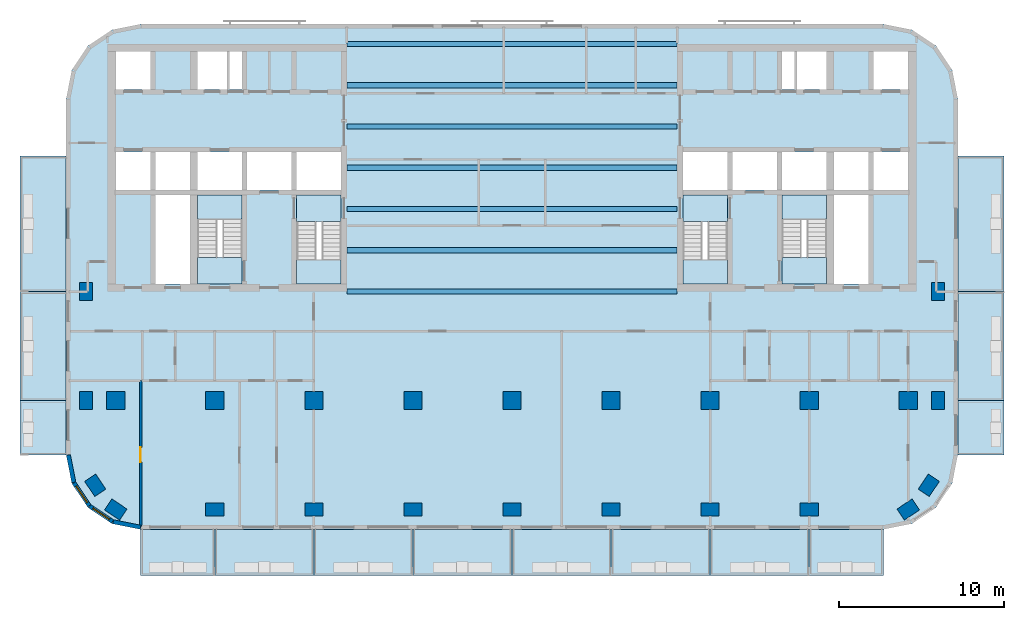
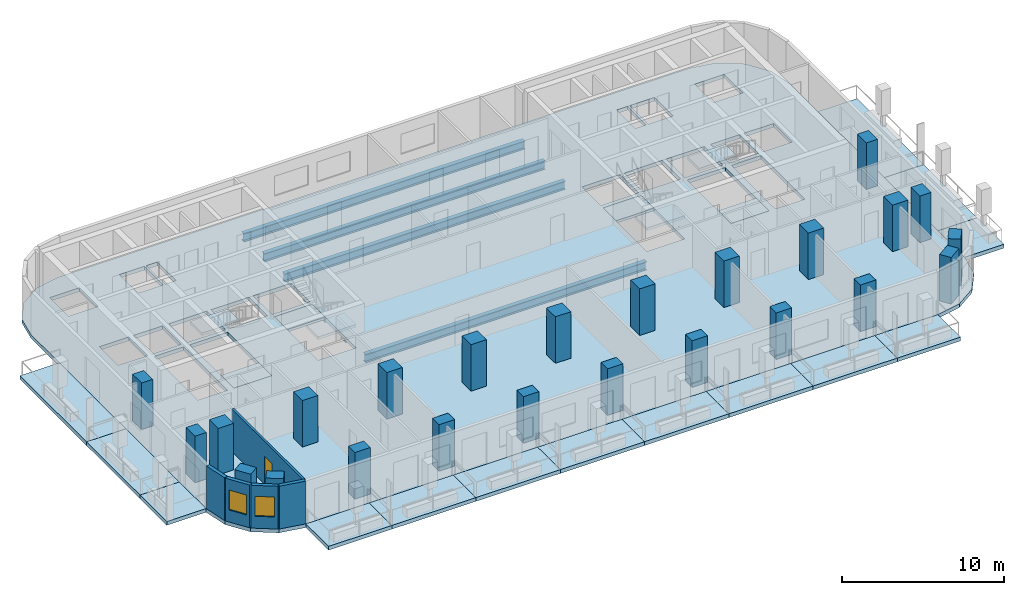
# One storey, part 1 of 11: 24 columns, 23 slabs, 7 beams, 5 walls, 2 windows, 1 door, 3 openings, 4 elements without a shape of their own.
"""IFC4 building model written with IfcOpenShell, lengths in metres."""

import ifcopenshell
import ifcopenshell.guid

model = None  # the IFC model being written
_history = None  # IfcOwnerHistory: only IFC2X3 demands one
_inside = {}  # id of a spatial element -> (the spatial element, [elements in it])
_under = {}  # id of a project, library or spatial element -> (it, [spatial elements below it])
_declared = {}  # id of a project -> (the project, [libraries it declares])
_typed = {}  # id of a type object -> (the type object, [elements of that type])
_made_of = {}  # id of a material, layer set ... -> (it, [elements and type objects made of it])


def new_model(schema):
    """Start an empty IFC model of exactly this schema.

    Asked for "IFC4X3", IfcOpenShell would pick the latest addendum, in which some entities
    have other attributes; the version numbers below select the first issue.
    IFC2X3 requires an IfcOwnerHistory on every rooted entity: one is made here for all.
    """
    global model, _history
    if schema == "IFC4X3":
        model = ifcopenshell.file(schema_version=(4, 3, 0, 0))
    else:
        model = ifcopenshell.file(schema=schema)
    _inside.clear()
    _under.clear()
    _declared.clear()
    _typed.clear()
    _made_of.clear()
    _history = None
    if model.schema == "IFC2X3":
        org = make("IfcOrganization", Name="unknown")
        user = make(
            "IfcPersonAndOrganization",
            ThePerson=make("IfcPerson", FamilyName="unknown"),
            TheOrganization=org,
        )
        app = make(
            "IfcApplication",
            ApplicationDeveloper=org,
            Version="unknown",
            ApplicationFullName="unknown",
            ApplicationIdentifier="unknown",
        )
        _history = make(
            "IfcOwnerHistory",
            OwningUser=user,
            OwningApplication=app,
            ChangeAction="ADDED",
            CreationDate=0,
        )
    return model


def make(cls, **values):
    """One entity of the class cls with the attributes given. An attribute that is None is left unset."""
    return model.create_entity(
        cls, **{name: value for name, value in values.items() if value is not None}
    )


def rooted(cls, **values):
    """An entity with a GlobalId (a new one), such as an element, a storey or a relation."""
    return make(cls, GlobalId=ifcopenshell.guid.new(), OwnerHistory=_history, **values)


def si_unit(unit_type, name, prefix=None):
    """IfcSIUnit, for example si_unit("LENGTHUNIT", "METRE", prefix="MILLI")."""
    return make("IfcSIUnit", UnitType=unit_type, Prefix=prefix, Name=name)


def assignment(units):
    """IfcUnitAssignment: the units of a project."""
    return None if units is None else make("IfcUnitAssignment", Units=units)


def point(xyz):
    """IfcCartesianPoint."""
    return None if xyz is None else make("IfcCartesianPoint", Coordinates=xyz)


def direction(xyz):
    """IfcDirection."""
    return None if xyz is None else make("IfcDirection", DirectionRatios=xyz)


def frame(location, z_axis=None, x_axis=None):
    """IfcAxis2Placement3D, a coordinate frame: its origin and axes. An axis left out is left unset."""
    return make(
        "IfcAxis2Placement3D",
        Location=point(location),
        Axis=direction(z_axis),
        RefDirection=direction(x_axis),
    )


def frame_2d(location, x_axis=None):
    """IfcAxis2Placement2D, a coordinate frame in the plane: its origin and x axis."""
    return make(
        "IfcAxis2Placement2D", Location=point(location), RefDirection=direction(x_axis)
    )


def origin():
    """The frame at (0, 0, 0) with its axes left unset."""
    return frame((0.0, 0.0, 0.0))


def origin_2d():
    """The frame at (0, 0) in the plane with its x axis left unset."""
    return frame_2d((0.0, 0.0))


def place(relative_to, where):
    """IfcLocalPlacement: puts the frame where relative to a parent placement (None: the world)."""
    return make(
        "IfcLocalPlacement", PlacementRelTo=relative_to, RelativePlacement=where
    )


def context(
    kind, dimensions, precision=None, world=None, true_north=None, identifier=None
):
    """IfcGeometricRepresentationContext, for example the 3D "Model" context."""
    return make(
        "IfcGeometricRepresentationContext",
        ContextIdentifier=identifier,
        ContextType=kind,
        CoordinateSpaceDimension=dimensions,
        Precision=precision,
        WorldCoordinateSystem=world,
        TrueNorth=true_north,
    )


def subcontext(parent, identifier, kind, view, scale=None):
    """IfcGeometricRepresentationSubContext, for example "Body" below "Model"."""
    return make(
        "IfcGeometricRepresentationSubContext",
        ContextIdentifier=identifier,
        ContextType=kind,
        ParentContext=parent,
        TargetScale=scale,
        TargetView=view,
    )


def project(units=None, contexts=None):
    """IfcProject with its units and contexts."""
    return rooted(
        "IfcProject",
        Name="project",
        RepresentationContexts=contexts,
        UnitsInContext=assignment(units),
    )


def spatial(cls, under=None, at=None, **own):
    """A site, building, storey or space (cls), placed at a placement, below another one or the project."""
    s = rooted(cls, ObjectPlacement=at, **own)
    if under is not None:
        _under.setdefault(under.id(), (under, []))[1].append(s)
    return s


def polyline(points):
    """IfcPolyline through the points."""
    return make("IfcPolyline", Points=[point(p) for p in points])


def profile(cls, at=None, kind="AREA", **sizes):
    """A parametric profile (cls). Its sizes go by their IFC names, for example OverallWidth=200.0."""
    return make(cls, ProfileType=kind, Position=at, **sizes)


def rectangle(**sizes):
    """IfcRectangleProfileDef."""
    return profile("IfcRectangleProfileDef", **sizes)


def i_section(**sizes):
    """IfcIShapeProfileDef."""
    return profile("IfcIShapeProfileDef", **sizes)


def outline(outer, holes=None, kind="AREA"):
    """IfcArbitraryClosedProfileDef: a profile drawn as a closed curve; with holes, ...WithVoids."""
    if holes is None:
        return make("IfcArbitraryClosedProfileDef", ProfileType=kind, OuterCurve=outer)
    return make(
        "IfcArbitraryProfileDefWithVoids",
        ProfileType=kind,
        OuterCurve=outer,
        InnerCurves=holes,
    )


def extrude(swept, where, along, depth):
    """IfcExtrudedAreaSolid: the profile swept, set in the frame where, extruded along a direction by depth."""
    return make(
        "IfcExtrudedAreaSolid",
        SweptArea=swept,
        Position=where,
        ExtrudedDirection=direction(along),
        Depth=depth,
    )


def shape(context_of_items, identifier, shape_type, items):
    """IfcShapeRepresentation: the items that make up one representation, for example the "Body"."""
    return make(
        "IfcShapeRepresentation",
        ContextOfItems=context_of_items,
        RepresentationIdentifier=identifier,
        RepresentationType=shape_type,
        Items=items,
    )


def material(Name=None, Category=None):
    """IfcMaterial."""
    return make("IfcMaterial", Name=Name, Category=Category)


def layer(
    of_material, thickness, ventilated=None, Name=None, Category=None, Priority=None
):
    """IfcMaterialLayer: one layer of a wall or slab, of a material (None: an air gap)."""
    return make(
        "IfcMaterialLayer",
        Material=of_material,
        LayerThickness=thickness,
        IsVentilated=ventilated,
        Name=Name,
        Category=Category,
        Priority=Priority,
    )


def layer_set(layers, Name=None):
    """IfcMaterialLayerSet."""
    return make("IfcMaterialLayerSet", MaterialLayers=layers, LayerSetName=Name)


def material_profile(
    of_material, cross_section, Name=None, Category=None, Priority=None
):
    """IfcMaterialProfile: a cross section and its material."""
    return make(
        "IfcMaterialProfile",
        Name=Name,
        Material=of_material,
        Profile=cross_section,
        Priority=Priority,
        Category=Category,
    )


def profile_set(profiles, Name=None, composite=None):
    """IfcMaterialProfileSet."""
    return make(
        "IfcMaterialProfileSet",
        Name=Name,
        MaterialProfiles=profiles,
        CompositeProfile=composite,
    )


def made_of(thing, what):
    """Note that an element or type object is made of a material, layer set ...; save() writes the relation."""
    if what is not None:
        _made_of.setdefault(what.id(), (what, []))[1].append(thing)
    return thing


def type_object(cls, material=None, **own):
    """A type object (cls), such as IfcWallType, which elements share."""
    return made_of(rooted(cls, **own), material)


def element(
    cls,
    number,
    at=None,
    inside=None,
    cuts=None,
    type_object=None,
    material=None,
    context=None,
    identifier="Body",
    shape_type=None,
    held_by="IfcProductDefinitionShape",
    body=None,
    shapes=None,
    **own,
):
    """One element of the class cls, such as IfcWall. Its Tag is "e" and its number.

    at: its placement. inside: the storey or other place that contains it. cuts: it is an
    opening in that element (IfcRelVoidsElement). A single representation is given by context,
    identifier, shape_type and body (its items); several are given by shapes. held_by: the class
    of the entity that holds the representations. save() writes the other relations.
    """
    e = rooted(cls, Tag="e%d" % number, ObjectPlacement=at, **own)
    if body is not None:
        shapes = [shape(context, identifier, shape_type, body)]
    if shapes is not None:
        e.Representation = make(held_by, Representations=shapes)
    if inside is not None:
        _inside.setdefault(inside.id(), (inside, []))[1].append(e)
    if cuts is not None:
        rooted(
            "IfcRelVoidsElement", RelatingBuildingElement=cuts, RelatedOpeningElement=e
        )
    if type_object is not None:
        _typed.setdefault(type_object.id(), (type_object, []))[1].append(e)
    return made_of(e, material)


def fill(opening, filler):
    """IfcRelFillsElement: the door or window that sits in an opening."""
    return rooted(
        "IfcRelFillsElement",
        RelatingOpeningElement=opening,
        RelatedBuildingElement=filler,
    )


def aggregate(whole, parts):
    """IfcRelAggregates: a whole, such as a stair, and the parts it consists of."""
    return rooted("IfcRelAggregates", RelatingObject=whole, RelatedObjects=parts)


def save(model, path):
    """Write the relations noted so far, then the file.

    IfcRelAggregates (storeys below a building ...), IfcRelContainedInSpatialStructure (elements
    in a storey), IfcRelDefinesByType, IfcRelAssociatesMaterial and IfcRelDeclares: one each for
    every whole, place, type object, material and project.
    """
    for whole, parts in _under.values():
        aggregate(whole, parts)
    for where, things in _inside.values():
        rooted(
            "IfcRelContainedInSpatialStructure",
            RelatedElements=things,
            RelatingStructure=where,
        )
    for kind, things in _typed.values():
        rooted("IfcRelDefinesByType", RelatedObjects=things, RelatingType=kind)
    for what, things in _made_of.values():
        rooted("IfcRelAssociatesMaterial", RelatedObjects=things, RelatingMaterial=what)
    for by, libraries in _declared.values():
        rooted("IfcRelDeclares", RelatingContext=by, RelatedDefinitions=libraries)
    model.write(path)


model = new_model("IFC4")

# Units and contexts
model_context = context("Model", 3, precision=1e-05, world=origin(), true_north=direction((0.0, 1.0)))
body_context = subcontext(model_context, "Body", "Model", "MODEL_VIEW")
ifc_project = project(units=[si_unit("LENGTHUNIT", "METRE"), si_unit("AREAUNIT", "SQUARE_METRE"), si_unit("VOLUMEUNIT", "CUBIC_METRE"), si_unit("PLANEANGLEUNIT", "RADIAN"), si_unit("MASSUNIT", "GRAM", prefix="KILO")], contexts=[model_context])

# Site, building, storey
site_placement = place(None, origin())
site = spatial("IfcSite", under=ifc_project, at=site_placement, CompositionType="ELEMENT")
building_placement = place(site_placement, origin())
building = spatial("IfcBuilding", under=site, at=building_placement, Name="Torana Hotel and Residences", CompositionType="ELEMENT")
storey_placement = place(building_placement, frame((0.0, 0.0, 208.10009765625)))
storey = spatial("IfcBuildingStorey", under=building, at=storey_placement, Name="L54", CompositionType="ELEMENT", Elevation=208.10009765625)

# Columns
ifc_material_1 = material(Name="Concrete C60/75", Category="concrete")
ifc_material_profile_1 = material_profile(ifc_material_1, rectangle(XDim=1.10009765625, YDim=1.10009765625, at=origin_2d()), Name="RC 1100x1100")
ifc_profile_set_1 = profile_set([ifc_material_profile_1], Name="Concrete C60/75")
column_type_1 = type_object("IfcColumnType", Name="COLUMN RC 1100x1100 C60/75", PredefinedType="COLUMN", material=ifc_profile_set_1)
for number, where, z_axis, x_axis, name in (
    (1, (-24.0, -21.60009765625, 0.0), (0.0, 0.0, 1.0), (1.0, 0.0, 0.0), "Column L54"),
    (2, (-18.0, -21.60009765625, 0.0), (0.0, 0.0, 1.0), (1.0, 0.0, 0.0), "Column L54"),
    (3, (-12.0, -21.60009765625, 0.0), (0.0, 0.0, 1.0), (1.0, 0.0, 0.0), "Column L54"),
    (4, (-6.0, -21.60009765625, 0.0), (0.0, 0.0, 1.0), (1.0, 0.0, 0.0), "Column L54"),
    (5, (0.0, -21.60009765625, 0.0), (0.0, 0.0, 1.0), (1.0, 0.0, 0.0), "Column L54"),
    (6, (6.0, -21.60009765625, 0.0), (0.0, 0.0, 1.0), (1.0, 0.0, 0.0), "Column L54"),
    (7, (12.0, -21.60009765625, 0.0), (0.0, 0.0, 1.0), (1.0, 0.0, 0.0), "Column L54"),
    (8, (18.0, -21.60009765625, 0.0), (0.0, 0.0, 1.0), (1.0, 0.0, 0.0), "Column L54"),
    (9, (24.0, -21.60009765625, 0.0), (0.0, 0.0, 1.0), (1.0, 0.0, 0.0), "Column L54"),
):
    element("IfcColumn", number, at=place(storey_placement, frame(where, z_axis=z_axis, x_axis=x_axis)), inside=storey, type_object=column_type_1, Name=name, PredefinedType="COLUMN", context=body_context, shape_type="SweptSolid", body=[
        extrude(rectangle(XDim=1.10009765625, YDim=1.10009765625, at=origin_2d()), origin(), (0.0, 0.0, 1.0), 3.5),
    ])
ifc_material_2 = material(Name="Concrete C60/75", Category="concrete")
ifc_material_profile_2 = material_profile(ifc_material_2, rectangle(XDim=1.10009765625, YDim=0.800048828125, at=origin_2d()), Name="RC 1100x800")
ifc_profile_set_2 = profile_set([ifc_material_profile_2], Name="Concrete C60/75")
column_type_2 = type_object("IfcColumnType", Name="COLUMN RC 1100x800 C60/75", PredefinedType="COLUMN", material=ifc_profile_set_2)
for number, where, z_axis, x_axis, name in (
    (10, (-25.800048828125, -21.60009765625, 0.0), (0.0, 0.0, 1.0), (0.0, 1.0, 0.0), "Column L54"),
    (11, (-25.800048828125, -15.0, 0.0), (0.0, 0.0, 1.0), (0.0, 1.0, 0.0), "Column L54"),
    (12, (-25.243896484375, -26.73291015625, 0.0), (0.0, 0.0, 1.0), (-0.555584744817, 0.831459915646, 0.0), "Column L54"),
    (13, (-24.0, -28.199951171875, 0.0), (0.0, 0.0, 1.0), (-0.831459915646, 0.555584744817, 0.0), "Column L54"),
    (14, (-18.0, -28.199951171875, 0.0), (0.0, 0.0, 1.0), (1.0, 0.0, 0.0), "Column L54"),
    (15, (-12.0, -28.199951171875, 0.0), (0.0, 0.0, 1.0), (1.0, 0.0, 0.0), "Column L54"),
    (16, (-6.0, -28.199951171875, 0.0), (0.0, 0.0, 1.0), (1.0, 0.0, 0.0), "Column L54"),
    (17, (0.0, -28.199951171875, 0.0), (0.0, 0.0, 1.0), (1.0, 0.0, 0.0), "Column L54"),
    (18, (6.0, -28.199951171875, 0.0), (0.0, 0.0, 1.0), (1.0, 0.0, 0.0), "Column L54"),
    (19, (12.0, -28.199951171875, 0.0), (0.0, 0.0, 1.0), (1.0, 0.0, 0.0), "Column L54"),
    (20, (18.0, -28.199951171875, 0.0), (0.0, 0.0, 1.0), (1.0, 0.0, 0.0), "Column L54"),
    (21, (24.0, -28.199951171875, 0.0), (0.0, 0.0, 1.0), (0.831459915646, 0.555584744817, 0.0), "Column L54"),
    (22, (25.243896484375, -26.73291015625, 0.0), (0.0, 0.0, 1.0), (0.555584744817, 0.831459915646, 0.0), "Column L54"),
    (23, (25.800048828125, -21.60009765625, 0.0), (0.0, 0.0, 1.0), (0.0, 1.0, 0.0), "Column L54"),
    (24, (25.800048828125, -15.0, 0.0), (0.0, 0.0, 1.0), (0.0, 1.0, 0.0), "Column L54"),
):
    element("IfcColumn", number, at=place(storey_placement, frame(where, z_axis=z_axis, x_axis=x_axis)), inside=storey, type_object=column_type_2, Name=name, PredefinedType="COLUMN", context=body_context, shape_type="SweptSolid", body=[
        extrude(rectangle(XDim=1.10009765625, YDim=0.800048828125, at=origin_2d()), origin(), (0.0, 0.0, 1.0), 3.5),
    ])

# Beams
ifc_material_3 = material(Name="Steel S355", Category="steel")
ifc_material_profile_3 = material_profile(ifc_material_3, i_section(OverallWidth=0.311279296875, OverallDepth=0.6357421875, WebThickness=0.018310546875, FlangeThickness=0.031494140625, FilletRadius=0.0166015625, at=origin_2d()), Name="610x305x238 UB")
ifc_profile_set_3 = profile_set([ifc_material_profile_3], Name="Steel S355")
beam_type = type_object("IfcBeamType", Name="STEEL GIRDER 610x305x238 UB", PredefinedType="BEAM", material=ifc_profile_set_3)
for number, where, z_axis, x_axis, name in (
    (25, (-10.0, -15.0, -0.597900390625), (1.0, 0.0, 0.0), (0.0, 1.0, 0.0), "Floor girder"),
    (26, (-10.0, -12.5, -0.597900390625), (1.0, 0.0, 0.0), (0.0, 1.0, 0.0), "Floor girder"),
    (27, (-10.0, -10.0, -0.597900390625), (1.0, 0.0, 0.0), (0.0, 1.0, 0.0), "Floor girder"),
    (28, (-10.0, -7.5, -0.597900390625), (1.0, 0.0, 0.0), (0.0, 1.0, 0.0), "Floor girder"),
    (29, (-10.0, -5.0, -0.597900390625), (1.0, 0.0, 0.0), (0.0, 1.0, 0.0), "Floor girder"),
    (30, (-10.0, -2.5, -0.597900390625), (1.0, 0.0, 0.0), (0.0, 1.0, 0.0), "Floor girder"),
    (31, (-10.0, 0.0, -0.597900390625), (1.0, 0.0, 0.0), (0.0, 1.0, 0.0), "Floor girder"),
):
    element("IfcBeam", number, at=place(storey_placement, frame(where, z_axis=z_axis, x_axis=x_axis)), inside=storey, type_object=beam_type, Name=name, PredefinedType="BEAM", context=body_context, shape_type="SweptSolid", body=[
        extrude(i_section(OverallWidth=0.311279296875, OverallDepth=0.6357421875, WebThickness=0.018310546875, FlangeThickness=0.031494140625, FilletRadius=0.0166015625, at=origin_2d()), origin(), (0.0, 0.0, 1.0), 20.0),
    ])

# Slabs
ifc_material_4 = material(Name="Concrete C40/50", Category="concrete")
ifc_layer_1 = layer(ifc_material_4, 0.280029296875)
ifc_layer_set_1 = layer_set([ifc_layer_1], Name="BAL1 BALCONY SLAB 280")
slab_type_1 = type_object("IfcSlabType", Name="BAL1 BALCONY SLAB 280", PredefinedType="USERDEFINED", material=ifc_layer_set_1)
slab_1_placement = place(storey_placement, frame((0.0, 0.0, -0.280029296875)))
element("IfcSlab", 32, at=slab_1_placement, inside=storey, type_object=slab_type_1, Name="Balcony 01", ObjectType="BALCONY", PredefinedType="USERDEFINED", context=body_context, shape_type="SweptSolid", body=[
    extrude(outline(polyline([(-22.5, -32.199951171875), (-18.0, -32.199951171875), (-18.0, -29.39990234375), (-22.5, -29.39990234375), (-22.5, -32.199951171875)])), origin(), (0.0, 0.0, 1.0), 0.280029296875),
])
slab_2_placement = place(storey_placement, frame((0.0, 0.0, -0.280029296875)))
element("IfcSlab", 33, at=slab_2_placement, inside=storey, type_object=slab_type_1, Name="Balcony 02", ObjectType="BALCONY", PredefinedType="USERDEFINED", context=body_context, shape_type="SweptSolid", body=[
    extrude(outline(polyline([(-18.0, -32.199951171875), (-12.0, -32.199951171875), (-12.0, -29.39990234375), (-18.0, -29.39990234375), (-18.0, -32.199951171875)])), origin(), (0.0, 0.0, 1.0), 0.280029296875),
])
slab_3_placement = place(storey_placement, frame((0.0, 0.0, -0.280029296875)))
element("IfcSlab", 34, at=slab_3_placement, inside=storey, type_object=slab_type_1, Name="Balcony 03", ObjectType="BALCONY", PredefinedType="USERDEFINED", context=body_context, shape_type="SweptSolid", body=[
    extrude(outline(polyline([(-12.0, -32.199951171875), (-6.0, -32.199951171875), (-6.0, -29.39990234375), (-12.0, -29.39990234375), (-12.0, -32.199951171875)])), origin(), (0.0, 0.0, 1.0), 0.280029296875),
])
slab_4_placement = place(storey_placement, frame((0.0, 0.0, -0.280029296875)))
element("IfcSlab", 35, at=slab_4_placement, inside=storey, type_object=slab_type_1, Name="Balcony 04", ObjectType="BALCONY", PredefinedType="USERDEFINED", context=body_context, shape_type="SweptSolid", body=[
    extrude(outline(polyline([(-6.0, -32.199951171875), (0.0, -32.199951171875), (0.0, -29.39990234375), (-6.0, -29.39990234375), (-6.0, -32.199951171875)])), origin(), (0.0, 0.0, 1.0), 0.280029296875),
])
slab_5_placement = place(storey_placement, frame((0.0, 0.0, -0.280029296875)))
element("IfcSlab", 36, at=slab_5_placement, inside=storey, type_object=slab_type_1, Name="Balcony 05", ObjectType="BALCONY", PredefinedType="USERDEFINED", context=body_context, shape_type="SweptSolid", body=[
    extrude(outline(polyline([(0.0, -32.199951171875), (6.0, -32.199951171875), (6.0, -29.39990234375), (0.0, -29.39990234375), (0.0, -32.199951171875)])), origin(), (0.0, 0.0, 1.0), 0.280029296875),
])
slab_6_placement = place(storey_placement, frame((0.0, 0.0, -0.280029296875)))
element("IfcSlab", 37, at=slab_6_placement, inside=storey, type_object=slab_type_1, Name="Balcony 06", ObjectType="BALCONY", PredefinedType="USERDEFINED", context=body_context, shape_type="SweptSolid", body=[
    extrude(outline(polyline([(6.0, -32.199951171875), (12.0, -32.199951171875), (12.0, -29.39990234375), (6.0, -29.39990234375), (6.0, -32.199951171875)])), origin(), (0.0, 0.0, 1.0), 0.280029296875),
])
slab_7_placement = place(storey_placement, frame((0.0, 0.0, -0.280029296875)))
element("IfcSlab", 38, at=slab_7_placement, inside=storey, type_object=slab_type_1, Name="Balcony 07", ObjectType="BALCONY", PredefinedType="USERDEFINED", context=body_context, shape_type="SweptSolid", body=[
    extrude(outline(polyline([(12.0, -32.199951171875), (18.0, -32.199951171875), (18.0, -29.39990234375), (12.0, -29.39990234375), (12.0, -32.199951171875)])), origin(), (0.0, 0.0, 1.0), 0.280029296875),
])
slab_8_placement = place(storey_placement, frame((0.0, 0.0, -0.280029296875)))
element("IfcSlab", 39, at=slab_8_placement, inside=storey, type_object=slab_type_1, Name="Balcony 08", ObjectType="BALCONY", PredefinedType="USERDEFINED", context=body_context, shape_type="SweptSolid", body=[
    extrude(outline(polyline([(18.0, -32.199951171875), (22.5, -32.199951171875), (22.5, -29.39990234375), (18.0, -29.39990234375), (18.0, -32.199951171875)])), origin(), (0.0, 0.0, 1.0), 0.280029296875),
])
slab_9_placement = place(storey_placement, frame((0.0, 0.0, -0.280029296875)))
element("IfcSlab", 40, at=slab_9_placement, inside=storey, type_object=slab_type_1, Name="Balcony 09", ObjectType="BALCONY", PredefinedType="USERDEFINED", context=body_context, shape_type="SweptSolid", body=[
    extrude(outline(polyline([(-29.800048828125, -24.89990234375), (-27.0, -24.89990234375), (-27.0, -21.60009765625), (-29.800048828125, -21.60009765625), (-29.800048828125, -24.89990234375)])), origin(), (0.0, 0.0, 1.0), 0.280029296875),
])
slab_10_placement = place(storey_placement, frame((0.0, 0.0, -0.280029296875)))
element("IfcSlab", 41, at=slab_10_placement, inside=storey, type_object=slab_type_1, Name="Balcony 10", ObjectType="BALCONY", PredefinedType="USERDEFINED", context=body_context, shape_type="SweptSolid", body=[
    extrude(outline(polyline([(-29.800048828125, -21.60009765625), (-27.0, -21.60009765625), (-27.0, -15.0), (-29.800048828125, -15.0), (-29.800048828125, -21.60009765625)])), origin(), (0.0, 0.0, 1.0), 0.280029296875),
])
slab_11_placement = place(storey_placement, frame((0.0, 0.0, -0.280029296875)))
element("IfcSlab", 42, at=slab_11_placement, inside=storey, type_object=slab_type_1, Name="Balcony 11", ObjectType="BALCONY", PredefinedType="USERDEFINED", context=body_context, shape_type="SweptSolid", body=[
    extrude(outline(polyline([(-29.800048828125, -15.0), (-27.0, -15.0), (-27.0, -6.800048828125), (-29.800048828125, -6.800048828125), (-29.800048828125, -15.0)])), origin(), (0.0, 0.0, 1.0), 0.280029296875),
])
slab_12_placement = place(storey_placement, frame((0.0, 0.0, -0.280029296875)))
element("IfcSlab", 43, at=slab_12_placement, inside=storey, type_object=slab_type_1, Name="Balcony 12", ObjectType="BALCONY", PredefinedType="USERDEFINED", context=body_context, shape_type="SweptSolid", body=[
    extrude(outline(polyline([(27.0, -24.89990234375), (29.800048828125, -24.89990234375), (29.800048828125, -21.60009765625), (27.0, -21.60009765625), (27.0, -24.89990234375)])), origin(), (0.0, 0.0, 1.0), 0.280029296875),
])
slab_13_placement = place(storey_placement, frame((0.0, 0.0, -0.280029296875)))
element("IfcSlab", 44, at=slab_13_placement, inside=storey, type_object=slab_type_1, Name="Balcony 13", ObjectType="BALCONY", PredefinedType="USERDEFINED", context=body_context, shape_type="SweptSolid", body=[
    extrude(outline(polyline([(27.0, -21.60009765625), (29.800048828125, -21.60009765625), (29.800048828125, -15.0), (27.0, -15.0), (27.0, -21.60009765625)])), origin(), (0.0, 0.0, 1.0), 0.280029296875),
])
slab_14_placement = place(storey_placement, frame((0.0, 0.0, -0.280029296875)))
element("IfcSlab", 45, at=slab_14_placement, inside=storey, type_object=slab_type_1, Name="Balcony 14", ObjectType="BALCONY", PredefinedType="USERDEFINED", context=body_context, shape_type="SweptSolid", body=[
    extrude(outline(polyline([(27.0, -15.0), (29.800048828125, -15.0), (29.800048828125, -6.800048828125), (27.0, -6.800048828125), (27.0, -15.0)])), origin(), (0.0, 0.0, 1.0), 0.280029296875),
])
ifc_material_5 = material(Name="Concrete C40/50", Category="concrete")
ifc_layer_2 = layer(ifc_material_5, 0.280029296875)
ifc_layer_set_2 = layer_set([ifc_layer_2], Name="FLOOR SLAB PT 280")
slab_type_2 = type_object("IfcSlabType", Name="FLOOR SLAB PT 280", PredefinedType="FLOOR", material=ifc_layer_set_2)
slab_15_placement = place(storey_placement, frame((0.0, 0.0, -0.280029296875)))
element("IfcSlab", 46, at=slab_15_placement, inside=storey, type_object=slab_type_2, Name="Floor slab", PredefinedType="FLOOR", context=body_context, shape_type="SweptSolid", body=[
    extrude(outline(polyline([(27.0, -3.300048828125), (26.657470703125, -1.577880859375), (25.681884765625, -0.117919921875), (24.22216796875, 0.857421875), (22.5, 1.199951171875), (-22.5, 1.199951171875), (-24.22216796875, 0.857421875), (-25.681884765625, -0.117919921875), (-26.657470703125, -1.577880859375), (-27.0, -3.300048828125), (-27.0, -24.89990234375), (-26.657470703125, -26.6220703125), (-25.681884765625, -28.08203125), (-24.22216796875, -29.0576171875), (-22.5, -29.39990234375), (22.5, -29.39990234375), (24.22216796875, -29.0576171875), (25.681884765625, -28.08203125), (26.657470703125, -26.6220703125), (27.0, -24.89990234375), (27.0, -3.300048828125)]), holes=[polyline([(-13.050048828125, -14.550048828125), (-10.35009765625, -14.550048828125), (-10.35009765625, -9.14990234375), (-13.050048828125, -9.14990234375), (-13.050048828125, -14.550048828125)]), polyline([(-19.050048828125, -14.550048828125), (-16.35009765625, -14.550048828125), (-16.35009765625, -9.14990234375), (-19.050048828125, -9.14990234375), (-19.050048828125, -14.550048828125)]), polyline([(-17.125, -2.75), (-16.35009765625, -2.75), (-16.35009765625, -0.449951171875), (-17.125, -0.449951171875), (-17.125, -2.75)]), polyline([(-19.050048828125, -2.75), (-17.27490234375, -2.75), (-17.27490234375, -0.449951171875), (-19.050048828125, -0.449951171875), (-19.050048828125, -2.75)]), polyline([(-21.60009765625, -8.85009765625), (-19.5, -8.85009765625), (-19.5, -6.550048828125), (-21.60009765625, -6.550048828125), (-21.60009765625, -8.85009765625)]), polyline([(-24.0, -2.75), (-21.89990234375, -2.75), (-21.89990234375, -0.449951171875), (-24.0, -0.449951171875), (-24.0, -2.75)]), polyline([(-24.0, -8.85009765625), (-21.89990234375, -8.85009765625), (-21.89990234375, -6.550048828125), (-24.0, -6.550048828125), (-24.0, -8.85009765625)]), polyline([(-13.050048828125, -8.85009765625), (-10.35009765625, -8.85009765625), (-10.35009765625, -6.550048828125), (-13.050048828125, -6.550048828125), (-13.050048828125, -8.85009765625)]), polyline([(-16.050048828125, -8.85009765625), (-13.35009765625, -8.85009765625), (-13.35009765625, -6.550048828125), (-16.050048828125, -6.550048828125), (-16.050048828125, -8.85009765625)]), polyline([(-19.050048828125, -8.85009765625), (-16.35009765625, -8.85009765625), (-16.35009765625, -6.550048828125), (-19.050048828125, -6.550048828125), (-19.050048828125, -8.85009765625)]), polyline([(-21.60009765625, -14.550048828125), (-19.5, -14.550048828125), (-19.5, -9.14990234375), (-21.60009765625, -9.14990234375), (-21.60009765625, -14.550048828125)]), polyline([(10.35009765625, -14.550048828125), (13.050048828125, -14.550048828125), (13.050048828125, -9.14990234375), (10.35009765625, -9.14990234375), (10.35009765625, -14.550048828125)]), polyline([(16.35009765625, -14.550048828125), (19.050048828125, -14.550048828125), (19.050048828125, -9.14990234375), (16.35009765625, -9.14990234375), (16.35009765625, -14.550048828125)]), polyline([(16.35009765625, -2.75), (17.125, -2.75), (17.125, -0.449951171875), (16.35009765625, -0.449951171875), (16.35009765625, -2.75)]), polyline([(17.27490234375, -2.75), (19.050048828125, -2.75), (19.050048828125, -0.449951171875), (17.27490234375, -0.449951171875), (17.27490234375, -2.75)]), polyline([(19.5, -8.85009765625), (21.60009765625, -8.85009765625), (21.60009765625, -6.550048828125), (19.5, -6.550048828125), (19.5, -8.85009765625)]), polyline([(21.89990234375, -2.75), (24.0, -2.75), (24.0, -0.449951171875), (21.89990234375, -0.449951171875), (21.89990234375, -2.75)]), polyline([(21.89990234375, -8.85009765625), (24.0, -8.85009765625), (24.0, -6.550048828125), (21.89990234375, -6.550048828125), (21.89990234375, -8.85009765625)]), polyline([(10.35009765625, -8.85009765625), (13.050048828125, -8.85009765625), (13.050048828125, -6.550048828125), (10.35009765625, -6.550048828125), (10.35009765625, -8.85009765625)]), polyline([(13.35009765625, -8.85009765625), (16.050048828125, -8.85009765625), (16.050048828125, -6.550048828125), (13.35009765625, -6.550048828125), (13.35009765625, -8.85009765625)]), polyline([(16.35009765625, -8.85009765625), (19.050048828125, -8.85009765625), (19.050048828125, -6.550048828125), (16.35009765625, -6.550048828125), (16.35009765625, -8.85009765625)]), polyline([(19.5, -14.550048828125), (21.60009765625, -14.550048828125), (21.60009765625, -9.14990234375), (19.5, -9.14990234375), (19.5, -14.550048828125)])]), origin(), (0.0, 0.0, 1.0), 0.280029296875),
])

# Stair, slabs
ifc_material_6 = material(Name="Concrete C40/50 precast", Category="concrete")
stair_type_1 = type_object("IfcStairType", Name="STAIR ST1 HALF TURN 1200", PredefinedType="HALF_TURN_STAIR", material=ifc_material_6)
stair_1_placement = place(storey_placement, origin())
stair_1 = element("IfcStair", 47, at=stair_1_placement, inside=storey, type_object=stair_type_1, Name="Stair ST1 L54", PredefinedType="HALF_TURN_STAIR")
ifc_material_7 = material(Name="Concrete C40/50 precast", Category="concrete")
ifc_layer_3 = layer(ifc_material_7, 0.199951171875)
ifc_layer_set_3 = layer_set([ifc_layer_3], Name="STAIR LANDING 200")
slab_type_3 = type_object("IfcSlabType", Name="STAIR LANDING 200", PredefinedType="LANDING", material=ifc_layer_set_3)
slab_16_placement = place(storey_placement, frame((0.0, 0.0, 1.5498046875)))
slab_16 = element("IfcSlab", 48, at=slab_16_placement, type_object=slab_type_3, Name="ST1 landing 1", PredefinedType="LANDING", context=body_context, shape_type="SweptSolid", body=[
    extrude(outline(polyline([(-13.050048828125, -14.550048828125), (-10.35009765625, -14.550048828125), (-10.35009765625, -13.090087890625), (-13.050048828125, -13.090087890625), (-13.050048828125, -14.550048828125)])), origin(), (0.0, 0.0, 1.0), 0.2001953125),
])
slab_17_placement = place(storey_placement, frame((0.0, 0.0, -0.2001953125)))
slab_17 = element("IfcSlab", 49, at=slab_17_placement, type_object=slab_type_3, Name="ST1 landing 2", PredefinedType="LANDING", context=body_context, shape_type="SweptSolid", body=[
    extrude(outline(polyline([(-13.050048828125, -10.75), (-10.35009765625, -10.75), (-10.35009765625, -9.14990234375), (-13.050048828125, -9.14990234375), (-13.050048828125, -10.75)])), origin(), (0.0, 0.0, 1.0), 0.2001953125),
])
aggregate(stair_1, [slab_16, slab_17])

ifc_material_8 = material(Name="Concrete C40/50 precast", Category="concrete")
stair_type_2 = type_object("IfcStairType", Name="STAIR ST2 HALF TURN 1200", PredefinedType="HALF_TURN_STAIR", material=ifc_material_8)
stair_2_placement = place(storey_placement, origin())
stair_2 = element("IfcStair", 50, at=stair_2_placement, inside=storey, type_object=stair_type_2, Name="Stair ST2 L54", PredefinedType="HALF_TURN_STAIR")
slab_18_placement = place(storey_placement, frame((0.0, 0.0, 1.5498046875)))
slab_18 = element("IfcSlab", 51, at=slab_18_placement, type_object=slab_type_3, Name="ST2 landing 1", PredefinedType="LANDING", context=body_context, shape_type="SweptSolid", body=[
    extrude(outline(polyline([(-19.050048828125, -10.610107421875), (-16.35009765625, -10.610107421875), (-16.35009765625, -9.14990234375), (-19.050048828125, -9.14990234375), (-19.050048828125, -10.610107421875)])), origin(), (0.0, 0.0, 1.0), 0.2001953125),
])
slab_19_placement = place(storey_placement, frame((0.0, 0.0, -0.2001953125)))
slab_19 = element("IfcSlab", 52, at=slab_19_placement, type_object=slab_type_3, Name="ST2 landing 2", PredefinedType="LANDING", context=body_context, shape_type="SweptSolid", body=[
    extrude(outline(polyline([(-19.050048828125, -14.550048828125), (-16.35009765625, -14.550048828125), (-16.35009765625, -12.949951171875), (-19.050048828125, -12.949951171875), (-19.050048828125, -14.550048828125)])), origin(), (0.0, 0.0, 1.0), 0.2001953125),
])
aggregate(stair_2, [slab_18, slab_19])

ifc_material_9 = material(Name="Concrete C40/50 precast", Category="concrete")
stair_type_3 = type_object("IfcStairType", Name="STAIR ST3 HALF TURN 1200", PredefinedType="HALF_TURN_STAIR", material=ifc_material_9)
stair_3_placement = place(storey_placement, origin())
stair_3 = element("IfcStair", 53, at=stair_3_placement, inside=storey, type_object=stair_type_3, Name="Stair ST3 L54", PredefinedType="HALF_TURN_STAIR")
slab_20_placement = place(storey_placement, frame((0.0, 0.0, 1.5498046875)))
slab_20 = element("IfcSlab", 54, at=slab_20_placement, type_object=slab_type_3, Name="ST3 landing 1", PredefinedType="LANDING", context=body_context, shape_type="SweptSolid", body=[
    extrude(outline(polyline([(10.35009765625, -14.550048828125), (13.050048828125, -14.550048828125), (13.050048828125, -13.090087890625), (10.35009765625, -13.090087890625), (10.35009765625, -14.550048828125)])), origin(), (0.0, 0.0, 1.0), 0.2001953125),
])
slab_21_placement = place(storey_placement, frame((0.0, 0.0, -0.2001953125)))
slab_21 = element("IfcSlab", 55, at=slab_21_placement, type_object=slab_type_3, Name="ST3 landing 2", PredefinedType="LANDING", context=body_context, shape_type="SweptSolid", body=[
    extrude(outline(polyline([(10.35009765625, -10.75), (13.050048828125, -10.75), (13.050048828125, -9.14990234375), (10.35009765625, -9.14990234375), (10.35009765625, -10.75)])), origin(), (0.0, 0.0, 1.0), 0.2001953125),
])
aggregate(stair_3, [slab_20, slab_21])

ifc_material_10 = material(Name="Concrete C40/50 precast", Category="concrete")
stair_type_4 = type_object("IfcStairType", Name="STAIR ST4 HALF TURN 1200", PredefinedType="HALF_TURN_STAIR", material=ifc_material_10)
stair_4_placement = place(storey_placement, origin())
stair_4 = element("IfcStair", 56, at=stair_4_placement, inside=storey, type_object=stair_type_4, Name="Stair ST4 L54", PredefinedType="HALF_TURN_STAIR")
slab_22_placement = place(storey_placement, frame((0.0, 0.0, 1.5498046875)))
slab_22 = element("IfcSlab", 57, at=slab_22_placement, type_object=slab_type_3, Name="ST4 landing 1", PredefinedType="LANDING", context=body_context, shape_type="SweptSolid", body=[
    extrude(outline(polyline([(16.35009765625, -10.610107421875), (19.050048828125, -10.610107421875), (19.050048828125, -9.14990234375), (16.35009765625, -9.14990234375), (16.35009765625, -10.610107421875)])), origin(), (0.0, 0.0, 1.0), 0.2001953125),
])
slab_23_placement = place(storey_placement, frame((0.0, 0.0, -0.2001953125)))
slab_23 = element("IfcSlab", 58, at=slab_23_placement, type_object=slab_type_3, Name="ST4 landing 2", PredefinedType="LANDING", context=body_context, shape_type="SweptSolid", body=[
    extrude(outline(polyline([(16.35009765625, -14.550048828125), (19.050048828125, -14.550048828125), (19.050048828125, -12.949951171875), (16.35009765625, -12.949951171875), (16.35009765625, -14.550048828125)])), origin(), (0.0, 0.0, 1.0), 0.2001953125),
])
aggregate(stair_4, [slab_22, slab_23])

# Wall
ifc_material_11 = material(Name="Black aluminium composite panel", Category="aluminium")
ifc_layer_4 = layer(ifc_material_11, 0.00390625, Name="Cladding", Category="cladding")
ifc_material_12 = material(Name="Ventilated air cavity")
ifc_layer_5 = layer(ifc_material_12, 0.0400390625, Name="Ventilated cavity", Category="cavity")
ifc_material_13 = material(Name="Mineral wool insulation")
ifc_layer_6 = layer(ifc_material_13, 0.090087890625, Name="Insulation", Category="insulation")
ifc_material_14 = material(Name="Steel S280GD", Category="steel")
ifc_layer_7 = layer(ifc_material_14, 0.092041015625, Name="Steel stud frame", Category="structure")
ifc_material_15 = material(Name="Fire rated plasterboard")
ifc_layer_8 = layer(ifc_material_15, 0.011962890625, Name="Inner board", Category="finish")
ifc_layer_9 = layer(ifc_material_15, 0.011962890625, Name="Second board", Category="finish")
ifc_layer_set_4 = layer_set([ifc_layer_4, ifc_layer_5, ifc_layer_6, ifc_layer_7, ifc_layer_8, ifc_layer_9], Name="EW1 EXTERNAL WALL BLACK METAL CLAD 250")
wall_type_1 = type_object("IfcWallType", Name="EW1 EXTERNAL WALL BLACK METAL CLAD 250", PredefinedType="SOLIDWALL", material=ifc_layer_set_4)
wall_1_placement = place(storey_placement, frame((-26.87255859375, -24.89990234375, 0.0), z_axis=(0.0, 0.0, 1.0), x_axis=(0.195026884138, -0.980797896849, 0.0)))
element("IfcWall", 59, at=wall_1_placement, inside=storey, type_object=wall_type_1, Name="External wall L54 e0.10", PredefinedType="SOLIDWALL", context=body_context, shape_type="SweptSolid", body=[
    extrude(rectangle(XDim=1.68115234375, YDim=0.25, at=frame_2d((0.840576171875, 0.0))), origin(), (0.0, 0.0, 1.0), 3.219970703125),
])

# Wall, opening, window
wall_2_placement = place(storey_placement, frame((-26.52587890625, -26.593994140625, 0.0), z_axis=(0.0, 0.0, 1.0), x_axis=(0.55555029066, -0.831482937015, 0.0)))
wall_2 = element("IfcWall", 60, at=wall_2_placement, inside=storey, type_object=wall_type_1, Name="External wall L54 e0.11", PredefinedType="SOLIDWALL", context=body_context, shape_type="SweptSolid", body=[
    extrude(rectangle(XDim=1.65625, YDim=0.25, at=frame_2d((0.828125, 0.0))), origin(), (0.0, 0.0, 1.0), 3.219970703125),
])
opening_1_placement = place(wall_2_placement, frame((0.228271484375, 0.0, 0.89990234375)))
opening_1 = element("IfcOpeningElement", 61, at=opening_1_placement, cuts=wall_2, Name="Opening W5", PredefinedType="OPENING", context=body_context, shape_type="SweptSolid", body=[
    extrude(rectangle(XDim=1.199951171875, YDim=1.5, at=frame_2d((0.60009765625, 0.75))), frame((0.0, 0.135009765625, 0.0), z_axis=(0.0, -1.0, 0.0), x_axis=(1.0, 0.0, 0.0)), (0.0, 0.0, 1.0), 0.27001953125),
])
ifc_material_16 = material(Name="Dark glass in black aluminium frame", Category="aluminium")
window_type = type_object("IfcWindowType", Name="W5 CORNER FACET WINDOW 1200x1500", PartitioningType="SINGLE_PANEL", PredefinedType="WINDOW", material=ifc_material_16)
window_1_placement = place(opening_1_placement, origin())
window_1 = element("IfcWindow", 62, at=window_1_placement, inside=storey, type_object=window_type, Name="Window L54 e0.11", OverallHeight=1.5, OverallWidth=1.199951171875, PartitioningType="SINGLE_PANEL", PredefinedType="WINDOW", context=body_context, shape_type="SweptSolid", body=[
    extrude(rectangle(XDim=1.199951171875, YDim=1.5, at=frame_2d((0.60009765625, 0.75))), frame((0.0, 0.030029296875, 0.0), z_axis=(0.0, -1.0, 0.0), x_axis=(1.0, 0.0, 0.0)), (0.0, 0.0, 1.0), 0.06005859375),
])
fill(opening_1, window_1)

wall_3_placement = place(storey_placement, frame((-25.5712890625, -28.005615234375, 0.0), z_axis=(0.0, 0.0, 1.0), x_axis=(0.831482937015, -0.55555029066, 0.0)))
wall_3 = element("IfcWall", 63, at=wall_3_placement, inside=storey, type_object=wall_type_1, Name="External wall L54 e0.12", PredefinedType="SOLIDWALL", context=body_context, shape_type="SweptSolid", body=[
    extrude(rectangle(XDim=1.65625, YDim=0.25, at=frame_2d((0.828125, 0.0))), origin(), (0.0, 0.0, 1.0), 3.219970703125),
])
opening_2_placement = place(wall_3_placement, frame((0.228271484375, 0.0, 0.89990234375)))
opening_2 = element("IfcOpeningElement", 64, at=opening_2_placement, cuts=wall_3, Name="Opening W5", PredefinedType="OPENING", context=body_context, shape_type="SweptSolid", body=[
    extrude(rectangle(XDim=1.199951171875, YDim=1.5, at=frame_2d((0.60009765625, 0.75))), frame((0.0, 0.135009765625, 0.0), z_axis=(0.0, -1.0, 0.0), x_axis=(1.0, 0.0, 0.0)), (0.0, 0.0, 1.0), 0.27001953125),
])
window_2_placement = place(opening_2_placement, origin())
window_2 = element("IfcWindow", 65, at=window_2_placement, inside=storey, type_object=window_type, Name="Window L54 e0.12", OverallHeight=1.5, OverallWidth=1.199951171875, PartitioningType="SINGLE_PANEL", PredefinedType="WINDOW", context=body_context, shape_type="SweptSolid", body=[
    extrude(rectangle(XDim=1.199951171875, YDim=1.5, at=frame_2d((0.60009765625, 0.75))), frame((0.0, 0.030029296875, 0.0), z_axis=(0.0, -1.0, 0.0), x_axis=(1.0, 0.0, 0.0)), (0.0, 0.0, 1.0), 0.06005859375),
])
fill(opening_2, window_2)

# Wall
wall_4_placement = place(storey_placement, frame((-24.14892578125, -28.944580078125, 0.0), z_axis=(0.0, 0.0, 1.0), x_axis=(0.980775640221, -0.19513878023, 0.0)))
element("IfcWall", 66, at=wall_4_placement, inside=storey, type_object=wall_type_1, Name="External wall L54 e0.13", PredefinedType="SOLIDWALL", context=body_context, shape_type="SweptSolid", body=[
    extrude(rectangle(XDim=1.681396484375, YDim=0.25, at=frame_2d((0.8408203125, 0.0))), origin(), (0.0, 0.0, 1.0), 3.219970703125),
])

# Wall, opening, door
ifc_material_17 = material(Name="Gypsum plasterboard")
ifc_layer_10 = layer(ifc_material_17, 0.012451171875, Name="Plasterboard", Category="finish")
ifc_layer_11 = layer(ifc_material_17, 0.012451171875, Name="Plasterboard", Category="finish")
ifc_layer_12 = layer(ifc_material_14, 0.10009765625, Name="Steel studs with mineral wool", Category="insulation")
ifc_layer_13 = layer(ifc_material_17, 0.012451171875, Name="Plasterboard", Category="finish")
ifc_layer_14 = layer(ifc_material_17, 0.012451171875, Name="Plasterboard", Category="finish")
ifc_layer_set_5 = layer_set([ifc_layer_10, ifc_layer_11, ifc_layer_12, ifc_layer_13, ifc_layer_14], Name="PARTITION 150 PLASTERBOARD")
wall_type_2 = type_object("IfcWallType", Name="PARTITION 150 PLASTERBOARD", PredefinedType="PARTITIONING", material=ifc_layer_set_5)
wall_5_placement = place(storey_placement, frame((-22.5, -29.216552734375, 0.0), z_axis=(0.0, 0.0, 1.0), x_axis=(0.0, 1.0, 0.0)))
wall_5 = element("IfcWall", 67, at=wall_5_placement, inside=storey, type_object=wall_type_2, Name="Partition L54", PredefinedType="PARTITIONING", context=body_context, shape_type="SweptSolid", body=[
    extrude(rectangle(XDim=8.816650390625, YDim=0.14990234375, at=frame_2d((4.408203125, 0.0))), origin(), (0.0, 0.0, 1.0), 3.219970703125),
])
opening_3_placement = place(wall_5_placement, frame((3.886474609375, 0.0, 0.0)))
opening_3 = element("IfcOpeningElement", 68, at=opening_3_placement, cuts=wall_5, Name="Opening L54-58", PredefinedType="OPENING", context=body_context, shape_type="SweptSolid", body=[
    extrude(rectangle(XDim=0.89990234375, YDim=2.10009765625, at=frame_2d((0.449951171875, 1.050048828125))), frame((0.0, 0.0849609375, 0.0), z_axis=(0.0, -1.0, 0.0), x_axis=(1.0, 0.0, 0.0)), (0.0, 0.0, 1.0), 0.169921875),
])
ifc_material_18 = material(Name="Timber door, oiled ash", Category="wood")
door_type = type_object("IfcDoorType", Name="ROOM DOOR D7 900x2100", OperationType="SINGLE_SWING_LEFT", PredefinedType="DOOR", material=ifc_material_18)
door_placement = place(opening_3_placement, origin())
door = element("IfcDoor", 69, at=door_placement, inside=storey, type_object=door_type, Name="Door L54", OperationType="SINGLE_SWING_RIGHT", OverallHeight=2.10009765625, OverallWidth=0.89990234375, PredefinedType="DOOR", context=body_context, shape_type="SweptSolid", body=[
    extrude(rectangle(XDim=0.89990234375, YDim=2.10009765625, at=frame_2d((0.449951171875, 1.050048828125))), frame((0.0, 0.02490234375, 0.0), z_axis=(0.0, -1.0, 0.0), x_axis=(1.0, 0.0, 0.0)), (0.0, 0.0, 1.0), 0.050048828125),
])
fill(opening_3, door)

save(model, "model.ifc")
